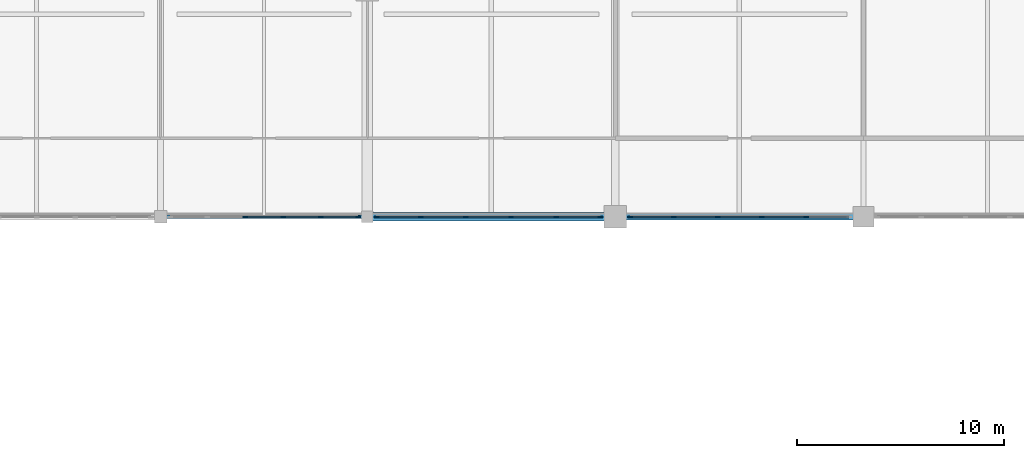
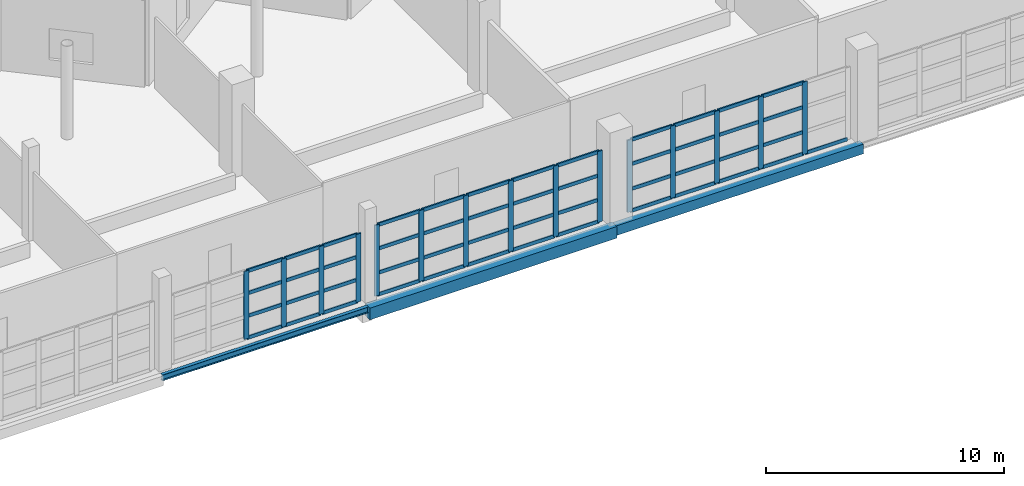
# One storey, part 25 of 53: 64 members, 3 beams, 3 elements without a shape of their own.
"""IFC4 building model written with IfcOpenShell, lengths in metres."""

import ifcopenshell
import ifcopenshell.guid

model = None  # the IFC model being written
_history = None  # IfcOwnerHistory: only IFC2X3 demands one
_inside = {}  # id of a spatial element -> (the spatial element, [elements in it])
_under = {}  # id of a project, library or spatial element -> (it, [spatial elements below it])
_declared = {}  # id of a project -> (the project, [libraries it declares])
_typed = {}  # id of a type object -> (the type object, [elements of that type])
_made_of = {}  # id of a material, layer set ... -> (it, [elements and type objects made of it])


def new_model(schema):
    """Start an empty IFC model of exactly this schema.

    Asked for "IFC4X3", IfcOpenShell would pick the latest addendum, in which some entities
    have other attributes; the version numbers below select the first issue.
    IFC2X3 requires an IfcOwnerHistory on every rooted entity: one is made here for all.
    """
    global model, _history
    if schema == "IFC4X3":
        model = ifcopenshell.file(schema_version=(4, 3, 0, 0))
    else:
        model = ifcopenshell.file(schema=schema)
    _inside.clear()
    _under.clear()
    _declared.clear()
    _typed.clear()
    _made_of.clear()
    _history = None
    if model.schema == "IFC2X3":
        org = make("IfcOrganization", Name="unknown")
        user = make(
            "IfcPersonAndOrganization",
            ThePerson=make("IfcPerson", FamilyName="unknown"),
            TheOrganization=org,
        )
        app = make(
            "IfcApplication",
            ApplicationDeveloper=org,
            Version="unknown",
            ApplicationFullName="unknown",
            ApplicationIdentifier="unknown",
        )
        _history = make(
            "IfcOwnerHistory",
            OwningUser=user,
            OwningApplication=app,
            ChangeAction="ADDED",
            CreationDate=0,
        )
    return model


def make(cls, **values):
    """One entity of the class cls with the attributes given. An attribute that is None is left unset."""
    return model.create_entity(
        cls, **{name: value for name, value in values.items() if value is not None}
    )


def rooted(cls, **values):
    """An entity with a GlobalId (a new one), such as an element, a storey or a relation."""
    return make(cls, GlobalId=ifcopenshell.guid.new(), OwnerHistory=_history, **values)


def si_unit(unit_type, name, prefix=None):
    """IfcSIUnit, for example si_unit("LENGTHUNIT", "METRE", prefix="MILLI")."""
    return make("IfcSIUnit", UnitType=unit_type, Prefix=prefix, Name=name)


def assignment(units):
    """IfcUnitAssignment: the units of a project."""
    return None if units is None else make("IfcUnitAssignment", Units=units)


def point(xyz):
    """IfcCartesianPoint."""
    return None if xyz is None else make("IfcCartesianPoint", Coordinates=xyz)


def direction(xyz):
    """IfcDirection."""
    return None if xyz is None else make("IfcDirection", DirectionRatios=xyz)


def frame(location, z_axis=None, x_axis=None):
    """IfcAxis2Placement3D, a coordinate frame: its origin and axes. An axis left out is left unset."""
    return make(
        "IfcAxis2Placement3D",
        Location=point(location),
        Axis=direction(z_axis),
        RefDirection=direction(x_axis),
    )


def frame_2d(location, x_axis=None):
    """IfcAxis2Placement2D, a coordinate frame in the plane: its origin and x axis."""
    return make(
        "IfcAxis2Placement2D", Location=point(location), RefDirection=direction(x_axis)
    )


def origin():
    """The frame at (0, 0, 0) with its axes left unset."""
    return frame((0.0, 0.0, 0.0))


def origin_2d():
    """The frame at (0, 0) in the plane with its x axis left unset."""
    return frame_2d((0.0, 0.0))


def place(relative_to, where):
    """IfcLocalPlacement: puts the frame where relative to a parent placement (None: the world)."""
    return make(
        "IfcLocalPlacement", PlacementRelTo=relative_to, RelativePlacement=where
    )


def context(
    kind, dimensions, precision=None, world=None, true_north=None, identifier=None
):
    """IfcGeometricRepresentationContext, for example the 3D "Model" context."""
    return make(
        "IfcGeometricRepresentationContext",
        ContextIdentifier=identifier,
        ContextType=kind,
        CoordinateSpaceDimension=dimensions,
        Precision=precision,
        WorldCoordinateSystem=world,
        TrueNorth=true_north,
    )


def subcontext(parent, identifier, kind, view, scale=None):
    """IfcGeometricRepresentationSubContext, for example "Body" below "Model"."""
    return make(
        "IfcGeometricRepresentationSubContext",
        ContextIdentifier=identifier,
        ContextType=kind,
        ParentContext=parent,
        TargetScale=scale,
        TargetView=view,
    )


def project(units=None, contexts=None):
    """IfcProject with its units and contexts."""
    return rooted(
        "IfcProject",
        Name="project",
        RepresentationContexts=contexts,
        UnitsInContext=assignment(units),
    )


def spatial(cls, under=None, at=None, **own):
    """A site, building, storey or space (cls), placed at a placement, below another one or the project."""
    s = rooted(cls, ObjectPlacement=at, **own)
    if under is not None:
        _under.setdefault(under.id(), (under, []))[1].append(s)
    return s


def profile(cls, at=None, kind="AREA", **sizes):
    """A parametric profile (cls). Its sizes go by their IFC names, for example OverallWidth=200.0."""
    return make(cls, ProfileType=kind, Position=at, **sizes)


def rectangle(**sizes):
    """IfcRectangleProfileDef."""
    return profile("IfcRectangleProfileDef", **sizes)


def hollow_rectangle(**sizes):
    """IfcRectangleHollowProfileDef."""
    return profile("IfcRectangleHollowProfileDef", **sizes)


def i_section(**sizes):
    """IfcIShapeProfileDef."""
    return profile("IfcIShapeProfileDef", **sizes)


def extrude(swept, where, along, depth):
    """IfcExtrudedAreaSolid: the profile swept, set in the frame where, extruded along a direction by depth."""
    return make(
        "IfcExtrudedAreaSolid",
        SweptArea=swept,
        Position=where,
        ExtrudedDirection=direction(along),
        Depth=depth,
    )


def shape(context_of_items, identifier, shape_type, items):
    """IfcShapeRepresentation: the items that make up one representation, for example the "Body"."""
    return make(
        "IfcShapeRepresentation",
        ContextOfItems=context_of_items,
        RepresentationIdentifier=identifier,
        RepresentationType=shape_type,
        Items=items,
    )


def material(Name=None, Category=None):
    """IfcMaterial."""
    return make("IfcMaterial", Name=Name, Category=Category)


def material_profile(
    of_material, cross_section, Name=None, Category=None, Priority=None
):
    """IfcMaterialProfile: a cross section and its material."""
    return make(
        "IfcMaterialProfile",
        Name=Name,
        Material=of_material,
        Profile=cross_section,
        Priority=Priority,
        Category=Category,
    )


def profile_set(profiles, Name=None, composite=None):
    """IfcMaterialProfileSet."""
    return make(
        "IfcMaterialProfileSet",
        Name=Name,
        MaterialProfiles=profiles,
        CompositeProfile=composite,
    )


def made_of(thing, what):
    """Note that an element or type object is made of a material, layer set ...; save() writes the relation."""
    if what is not None:
        _made_of.setdefault(what.id(), (what, []))[1].append(thing)
    return thing


def type_object(cls, material=None, **own):
    """A type object (cls), such as IfcWallType, which elements share."""
    return made_of(rooted(cls, **own), material)


def element(
    cls,
    number,
    at=None,
    inside=None,
    cuts=None,
    type_object=None,
    material=None,
    context=None,
    identifier="Body",
    shape_type=None,
    held_by="IfcProductDefinitionShape",
    body=None,
    shapes=None,
    **own,
):
    """One element of the class cls, such as IfcWall. Its Tag is "e" and its number.

    at: its placement. inside: the storey or other place that contains it. cuts: it is an
    opening in that element (IfcRelVoidsElement). A single representation is given by context,
    identifier, shape_type and body (its items); several are given by shapes. held_by: the class
    of the entity that holds the representations. save() writes the other relations.
    """
    e = rooted(cls, Tag="e%d" % number, ObjectPlacement=at, **own)
    if body is not None:
        shapes = [shape(context, identifier, shape_type, body)]
    if shapes is not None:
        e.Representation = make(held_by, Representations=shapes)
    if inside is not None:
        _inside.setdefault(inside.id(), (inside, []))[1].append(e)
    if cuts is not None:
        rooted(
            "IfcRelVoidsElement", RelatingBuildingElement=cuts, RelatedOpeningElement=e
        )
    if type_object is not None:
        _typed.setdefault(type_object.id(), (type_object, []))[1].append(e)
    return made_of(e, material)


def aggregate(whole, parts):
    """IfcRelAggregates: a whole, such as a stair, and the parts it consists of."""
    return rooted("IfcRelAggregates", RelatingObject=whole, RelatedObjects=parts)


def save(model, path):
    """Write the relations noted so far, then the file.

    IfcRelAggregates (storeys below a building ...), IfcRelContainedInSpatialStructure (elements
    in a storey), IfcRelDefinesByType, IfcRelAssociatesMaterial and IfcRelDeclares: one each for
    every whole, place, type object, material and project.
    """
    for whole, parts in _under.values():
        aggregate(whole, parts)
    for where, things in _inside.values():
        rooted(
            "IfcRelContainedInSpatialStructure",
            RelatedElements=things,
            RelatingStructure=where,
        )
    for kind, things in _typed.values():
        rooted("IfcRelDefinesByType", RelatedObjects=things, RelatingType=kind)
    for what, things in _made_of.values():
        rooted("IfcRelAssociatesMaterial", RelatedObjects=things, RelatingMaterial=what)
    for by, libraries in _declared.values():
        rooted("IfcRelDeclares", RelatingContext=by, RelatedDefinitions=libraries)
    model.write(path)


model = new_model("IFC4")

# Units and contexts
model_context = context("Model", 3, precision=1e-05, world=origin(), true_north=direction((0.0, 1.0)))
body_context = subcontext(model_context, "Body", "Model", "MODEL_VIEW")
ifc_project = project(units=[si_unit("LENGTHUNIT", "METRE"), si_unit("AREAUNIT", "SQUARE_METRE"), si_unit("VOLUMEUNIT", "CUBIC_METRE"), si_unit("PLANEANGLEUNIT", "RADIAN"), si_unit("MASSUNIT", "GRAM", prefix="KILO")], contexts=[model_context])

# Site, building, storey
site_placement = place(None, origin())
site = spatial("IfcSite", under=ifc_project, at=site_placement, CompositionType="ELEMENT")
building_placement = place(site_placement, origin())
building = spatial("IfcBuilding", under=site, at=building_placement, Name="Luwafu Chhajja Arena", CompositionType="ELEMENT")
storey_placement = place(building_placement, frame((0.0, 0.0, 19.5)))
storey = spatial("IfcBuildingStorey", under=building, at=storey_placement, Name="L04", CompositionType="ELEMENT", Elevation=19.5)

# Curtain wall, members
ifc_material_1 = material(Name="Anodised bronze aluminium", Category="aluminium")
curtain_wall_type = type_object("IfcCurtainWallType", Name="Media Ribbon Curtain Wall", PredefinedType="USERDEFINED", material=ifc_material_1)
curtain_wall_1_placement = place(storey_placement, origin())
curtain_wall_1 = element("IfcCurtainWall", 1, at=curtain_wall_1_placement, inside=storey, type_object=curtain_wall_type, Name="L04 Bowl Viewing Curtain Wall CWR-L04-11", ObjectType="CURTAIN WALL", PredefinedType="USERDEFINED")
ifc_material_profile_1 = material_profile(ifc_material_1, rectangle(XDim=0.070068359375, YDim=0.239990234375, at=origin_2d()), Name="CWM 70x240")
ifc_profile_set_1 = profile_set([ifc_material_profile_1], Name="Anodised bronze aluminium")
member_type_1 = type_object("IfcMemberType", Name="Bronze Curtain Wall Mullion 70x240", PredefinedType="MULLION", material=ifc_profile_set_1)
member_1_placement = place(storey_placement, frame((98.097900390625, 77.0, 0.0), z_axis=(0.0, 0.0, 1.0), x_axis=(0.0, 1.0, 0.0)))
member_1 = element("IfcMember", 2, at=member_1_placement, type_object=member_type_1, Name="CW-03 mullion 3", PredefinedType="MULLION", context=body_context, shape_type="SweptSolid", body=[
    extrude(rectangle(XDim=0.070068359375, YDim=0.239990234375, at=origin_2d()), origin(), (0.0, 0.0, 1.0), 3.489990234375),
])
member_2_placement = place(storey_placement, frame((99.927001953125, 77.0, 0.0), z_axis=(0.0, 0.0, 1.0), x_axis=(0.0, 1.0, 0.0)))
member_2 = element("IfcMember", 3, at=member_2_placement, type_object=member_type_1, Name="CW-03 mullion 4", PredefinedType="MULLION", context=body_context, shape_type="SweptSolid", body=[
    extrude(rectangle(XDim=0.070068359375, YDim=0.239990234375, at=origin_2d()), origin(), (0.0, 0.0, 1.0), 3.489990234375),
])
member_3_placement = place(storey_placement, frame((101.756103515625, 77.0, 0.0), z_axis=(0.0, 0.0, 1.0), x_axis=(0.0, 1.0, 0.0)))
member_3 = element("IfcMember", 4, at=member_3_placement, type_object=member_type_1, Name="CW-03 mullion 5", PredefinedType="MULLION", context=body_context, shape_type="SweptSolid", body=[
    extrude(rectangle(XDim=0.070068359375, YDim=0.239990234375, at=origin_2d()), origin(), (0.0, 0.0, 1.0), 3.489990234375),
])
member_4_placement = place(storey_placement, frame((103.550048828125, 77.0, 0.0), z_axis=(0.0, 0.0, 1.0), x_axis=(0.0, 1.0, 0.0)))
member_4 = element("IfcMember", 5, at=member_4_placement, type_object=member_type_1, Name="CW-03 mullion 6", PredefinedType="MULLION", context=body_context, shape_type="SweptSolid", body=[
    extrude(rectangle(XDim=0.070068359375, YDim=0.239990234375, at=origin_2d()), origin(), (0.0, 0.0, 1.0), 3.489990234375),
])

curtain_wall_2_placement = place(storey_placement, origin())
curtain_wall_2 = element("IfcCurtainWall", 6, at=curtain_wall_2_placement, inside=storey, type_object=curtain_wall_type, Name="L04 Bowl Viewing Curtain Wall CWR-L04-12", ObjectType="CURTAIN WALL", PredefinedType="USERDEFINED")
member_5_placement = place(storey_placement, frame((104.449951171875, 77.0, 0.0), z_axis=(0.0, 0.0, 1.0), x_axis=(0.0, 1.0, 0.0)))
member_5 = element("IfcMember", 7, at=member_5_placement, type_object=member_type_1, Name="CW-03 mullion 1", PredefinedType="MULLION", context=body_context, shape_type="SweptSolid", body=[
    extrude(rectangle(XDim=0.070068359375, YDim=0.239990234375, at=origin_2d()), origin(), (0.0, 0.0, 1.0), 3.639892578125),
])
member_6_placement = place(storey_placement, frame((106.593994140625, 77.0, 0.0), z_axis=(0.0, 0.0, 1.0), x_axis=(0.0, 1.0, 0.0)))
member_6 = element("IfcMember", 8, at=member_6_placement, type_object=member_type_1, Name="CW-03 mullion 2", PredefinedType="MULLION", context=body_context, shape_type="SweptSolid", body=[
    extrude(rectangle(XDim=0.070068359375, YDim=0.239990234375, at=origin_2d()), origin(), (0.0, 0.0, 1.0), 3.639892578125),
])
member_7_placement = place(storey_placement, frame((108.77294921875, 77.0, 0.0), z_axis=(0.0, 0.0, 1.0), x_axis=(0.0, 1.0, 0.0)))
member_7 = element("IfcMember", 9, at=member_7_placement, type_object=member_type_1, Name="CW-03 mullion 3", PredefinedType="MULLION", context=body_context, shape_type="SweptSolid", body=[
    extrude(rectangle(XDim=0.070068359375, YDim=0.239990234375, at=origin_2d()), origin(), (0.0, 0.0, 1.0), 3.639892578125),
])
member_8_placement = place(storey_placement, frame((110.951904296875, 77.0, 0.0), z_axis=(0.0, 0.0, 1.0), x_axis=(0.0, 1.0, 0.0)))
member_8 = element("IfcMember", 10, at=member_8_placement, type_object=member_type_1, Name="CW-03 mullion 4", PredefinedType="MULLION", context=body_context, shape_type="SweptSolid", body=[
    extrude(rectangle(XDim=0.070068359375, YDim=0.239990234375, at=origin_2d()), origin(), (0.0, 0.0, 1.0), 3.639892578125),
])
member_9_placement = place(storey_placement, frame((113.131103515625, 77.0, 0.0), z_axis=(0.0, 0.0, 1.0), x_axis=(0.0, 1.0, 0.0)))
member_9 = element("IfcMember", 11, at=member_9_placement, type_object=member_type_1, Name="CW-03 mullion 5", PredefinedType="MULLION", context=body_context, shape_type="SweptSolid", body=[
    extrude(rectangle(XDim=0.070068359375, YDim=0.239990234375, at=origin_2d()), origin(), (0.0, 0.0, 1.0), 3.639892578125),
])
member_10_placement = place(storey_placement, frame((115.27490234375, 77.0, 0.0), z_axis=(0.0, 0.0, 1.0), x_axis=(0.0, 1.0, 0.0)))
member_10 = element("IfcMember", 12, at=member_10_placement, type_object=member_type_1, Name="CW-03 mullion 6", PredefinedType="MULLION", context=body_context, shape_type="SweptSolid", body=[
    extrude(rectangle(XDim=0.070068359375, YDim=0.239990234375, at=origin_2d()), origin(), (0.0, 0.0, 1.0), 3.639892578125),
])

curtain_wall_3_placement = place(storey_placement, origin())
curtain_wall_3 = element("IfcCurtainWall", 13, at=curtain_wall_3_placement, inside=storey, type_object=curtain_wall_type, Name="L04 Bowl Viewing Curtain Wall CWR-L04-13", ObjectType="CURTAIN WALL", PredefinedType="USERDEFINED")
member_11_placement = place(storey_placement, frame((116.72509765625, 77.0, 0.0), z_axis=(0.0, 0.0, 1.0), x_axis=(0.0, 1.0, 0.0)))
member_11 = element("IfcMember", 14, at=member_11_placement, type_object=member_type_1, Name="CW-03 mullion 1", PredefinedType="MULLION", context=body_context, shape_type="SweptSolid", body=[
    extrude(rectangle(XDim=0.070068359375, YDim=0.239990234375, at=origin_2d()), origin(), (0.0, 0.0, 1.0), 3.70654296875),
])
member_12_placement = place(storey_placement, frame((118.823974609375, 77.0, 0.0), z_axis=(0.0, 0.0, 1.0), x_axis=(0.0, 1.0, 0.0)))
member_12 = element("IfcMember", 15, at=member_12_placement, type_object=member_type_1, Name="CW-03 mullion 2", PredefinedType="MULLION", context=body_context, shape_type="SweptSolid", body=[
    extrude(rectangle(XDim=0.070068359375, YDim=0.239990234375, at=origin_2d()), origin(), (0.0, 0.0, 1.0), 3.70654296875),
])
member_13_placement = place(storey_placement, frame((120.9580078125, 77.0, 0.0), z_axis=(0.0, 0.0, 1.0), x_axis=(0.0, 1.0, 0.0)))
member_13 = element("IfcMember", 16, at=member_13_placement, type_object=member_type_1, Name="CW-03 mullion 3", PredefinedType="MULLION", context=body_context, shape_type="SweptSolid", body=[
    extrude(rectangle(XDim=0.070068359375, YDim=0.239990234375, at=origin_2d()), origin(), (0.0, 0.0, 1.0), 3.70654296875),
])
member_14_placement = place(storey_placement, frame((123.092041015625, 77.0, 0.0), z_axis=(0.0, 0.0, 1.0), x_axis=(0.0, 1.0, 0.0)))
member_14 = element("IfcMember", 17, at=member_14_placement, type_object=member_type_1, Name="CW-03 mullion 4", PredefinedType="MULLION", context=body_context, shape_type="SweptSolid", body=[
    extrude(rectangle(XDim=0.070068359375, YDim=0.239990234375, at=origin_2d()), origin(), (0.0, 0.0, 1.0), 3.70654296875),
])
member_15_placement = place(storey_placement, frame((125.22607421875, 77.0, 0.0), z_axis=(0.0, 0.0, 1.0), x_axis=(0.0, 1.0, 0.0)))
member_15 = element("IfcMember", 18, at=member_15_placement, type_object=member_type_1, Name="CW-03 mullion 5", PredefinedType="MULLION", context=body_context, shape_type="SweptSolid", body=[
    extrude(rectangle(XDim=0.070068359375, YDim=0.239990234375, at=origin_2d()), origin(), (0.0, 0.0, 1.0), 3.70654296875),
])

# Member
ifc_material_profile_2 = material_profile(ifc_material_1, rectangle(XDim=0.070068359375, YDim=0.179931640625, at=origin_2d()), Name="CWT 70x180")
ifc_profile_set_2 = profile_set([ifc_material_profile_2], Name="Anodised bronze aluminium")
member_type_2 = type_object("IfcMemberType", Name="Bronze Curtain Wall Transom 70x180", PredefinedType="USERDEFINED", material=ifc_profile_set_2)
member_16_placement = place(storey_placement, frame((98.133056640625, 77.0, 0.034912109375), z_axis=(1.0, 0.0, 0.0), x_axis=(0.0, 1.0, 0.0)))
member_16 = element("IfcMember", 19, at=member_16_placement, type_object=member_type_2, Name="CW-03 transom 3.1", ObjectType="TRANSOM", PredefinedType="USERDEFINED", context=body_context, shape_type="SweptSolid", body=[
    extrude(rectangle(XDim=0.070068359375, YDim=0.179931640625, at=origin_2d()), origin(), (0.0, 0.0, 1.0), 1.759033203125),
])

member_17_placement = place(storey_placement, frame((98.133056640625, 77.0, 1.14990234375), z_axis=(1.0, 0.0, 0.0), x_axis=(0.0, 1.0, 0.0)))
member_17 = element("IfcMember", 20, at=member_17_placement, type_object=member_type_2, Name="CW-03 transom 3.2", ObjectType="TRANSOM", PredefinedType="USERDEFINED", context=body_context, shape_type="SweptSolid", body=[
    extrude(rectangle(XDim=0.070068359375, YDim=0.179931640625, at=origin_2d()), origin(), (0.0, 0.0, 1.0), 1.759033203125),
])

member_18_placement = place(storey_placement, frame((98.133056640625, 77.0, 2.320068359375), z_axis=(1.0, 0.0, 0.0), x_axis=(0.0, 1.0, 0.0)))
member_18 = element("IfcMember", 21, at=member_18_placement, type_object=member_type_2, Name="CW-03 transom 3.3", ObjectType="TRANSOM", PredefinedType="USERDEFINED", context=body_context, shape_type="SweptSolid", body=[
    extrude(rectangle(XDim=0.070068359375, YDim=0.179931640625, at=origin_2d()), origin(), (0.0, 0.0, 1.0), 1.759033203125),
])

member_19_placement = place(storey_placement, frame((98.133056640625, 77.0, 3.455078125), z_axis=(1.0, 0.0, 0.0), x_axis=(0.0, 1.0, 0.0)))
member_19 = element("IfcMember", 22, at=member_19_placement, type_object=member_type_2, Name="CW-03 transom 3.4", ObjectType="TRANSOM", PredefinedType="USERDEFINED", context=body_context, shape_type="SweptSolid", body=[
    extrude(rectangle(XDim=0.070068359375, YDim=0.179931640625, at=origin_2d()), origin(), (0.0, 0.0, 1.0), 1.759033203125),
])

member_20_placement = place(storey_placement, frame((99.9619140625, 77.0, 0.034912109375), z_axis=(1.0, 0.0, 0.0), x_axis=(0.0, 1.0, 0.0)))
member_20 = element("IfcMember", 23, at=member_20_placement, type_object=member_type_2, Name="CW-03 transom 4.1", ObjectType="TRANSOM", PredefinedType="USERDEFINED", context=body_context, shape_type="SweptSolid", body=[
    extrude(rectangle(XDim=0.070068359375, YDim=0.179931640625, at=origin_2d()), origin(), (0.0, 0.0, 1.0), 1.759033203125),
])

member_21_placement = place(storey_placement, frame((99.9619140625, 77.0, 1.14990234375), z_axis=(1.0, 0.0, 0.0), x_axis=(0.0, 1.0, 0.0)))
member_21 = element("IfcMember", 24, at=member_21_placement, type_object=member_type_2, Name="CW-03 transom 4.2", ObjectType="TRANSOM", PredefinedType="USERDEFINED", context=body_context, shape_type="SweptSolid", body=[
    extrude(rectangle(XDim=0.070068359375, YDim=0.179931640625, at=origin_2d()), origin(), (0.0, 0.0, 1.0), 1.759033203125),
])

member_22_placement = place(storey_placement, frame((99.9619140625, 77.0, 2.320068359375), z_axis=(1.0, 0.0, 0.0), x_axis=(0.0, 1.0, 0.0)))
member_22 = element("IfcMember", 25, at=member_22_placement, type_object=member_type_2, Name="CW-03 transom 4.3", ObjectType="TRANSOM", PredefinedType="USERDEFINED", context=body_context, shape_type="SweptSolid", body=[
    extrude(rectangle(XDim=0.070068359375, YDim=0.179931640625, at=origin_2d()), origin(), (0.0, 0.0, 1.0), 1.759033203125),
])

member_23_placement = place(storey_placement, frame((99.9619140625, 77.0, 3.455078125), z_axis=(1.0, 0.0, 0.0), x_axis=(0.0, 1.0, 0.0)))
member_23 = element("IfcMember", 26, at=member_23_placement, type_object=member_type_2, Name="CW-03 transom 4.4", ObjectType="TRANSOM", PredefinedType="USERDEFINED", context=body_context, shape_type="SweptSolid", body=[
    extrude(rectangle(XDim=0.070068359375, YDim=0.179931640625, at=origin_2d()), origin(), (0.0, 0.0, 1.0), 1.759033203125),
])

member_24_placement = place(storey_placement, frame((101.791015625, 77.0, 0.034912109375), z_axis=(1.0, 0.0, 0.0), x_axis=(0.0, 1.0, 0.0)))
member_24 = element("IfcMember", 27, at=member_24_placement, type_object=member_type_2, Name="CW-03 transom 5.1", ObjectType="TRANSOM", PredefinedType="USERDEFINED", context=body_context, shape_type="SweptSolid", body=[
    extrude(rectangle(XDim=0.070068359375, YDim=0.179931640625, at=origin_2d()), origin(), (0.0, 0.0, 1.0), 1.723876953125),
])

member_25_placement = place(storey_placement, frame((101.791015625, 77.0, 1.14990234375), z_axis=(1.0, 0.0, 0.0), x_axis=(0.0, 1.0, 0.0)))
member_25 = element("IfcMember", 28, at=member_25_placement, type_object=member_type_2, Name="CW-03 transom 5.2", ObjectType="TRANSOM", PredefinedType="USERDEFINED", context=body_context, shape_type="SweptSolid", body=[
    extrude(rectangle(XDim=0.070068359375, YDim=0.179931640625, at=origin_2d()), origin(), (0.0, 0.0, 1.0), 1.723876953125),
])

member_26_placement = place(storey_placement, frame((101.791015625, 77.0, 2.320068359375), z_axis=(1.0, 0.0, 0.0), x_axis=(0.0, 1.0, 0.0)))
member_26 = element("IfcMember", 29, at=member_26_placement, type_object=member_type_2, Name="CW-03 transom 5.3", ObjectType="TRANSOM", PredefinedType="USERDEFINED", context=body_context, shape_type="SweptSolid", body=[
    extrude(rectangle(XDim=0.070068359375, YDim=0.179931640625, at=origin_2d()), origin(), (0.0, 0.0, 1.0), 1.723876953125),
])

member_27_placement = place(storey_placement, frame((101.791015625, 77.0, 3.455078125), z_axis=(1.0, 0.0, 0.0), x_axis=(0.0, 1.0, 0.0)))
member_27 = element("IfcMember", 30, at=member_27_placement, type_object=member_type_2, Name="CW-03 transom 5.4", ObjectType="TRANSOM", PredefinedType="USERDEFINED", context=body_context, shape_type="SweptSolid", body=[
    extrude(rectangle(XDim=0.070068359375, YDim=0.179931640625, at=origin_2d()), origin(), (0.0, 0.0, 1.0), 1.723876953125),
])

aggregate(curtain_wall_1, [member_1, member_2, member_3, member_4, member_16, member_17, member_18, member_19, member_20, member_21, member_22, member_23, member_24, member_25, member_26, member_27])

member_28_placement = place(storey_placement, frame((104.485107421875, 77.0, 0.034912109375), z_axis=(1.0, 0.0, 0.0), x_axis=(0.0, 1.0, 0.0)))
member_28 = element("IfcMember", 31, at=member_28_placement, type_object=member_type_2, Name="CW-03 transom 1.1", ObjectType="TRANSOM", PredefinedType="USERDEFINED", context=body_context, shape_type="SweptSolid", body=[
    extrude(rectangle(XDim=0.070068359375, YDim=0.179931640625, at=origin_2d()), origin(), (0.0, 0.0, 1.0), 2.073974609375),
])

member_29_placement = place(storey_placement, frame((104.485107421875, 77.0, 1.14990234375), z_axis=(1.0, 0.0, 0.0), x_axis=(0.0, 1.0, 0.0)))
member_29 = element("IfcMember", 32, at=member_29_placement, type_object=member_type_2, Name="CW-03 transom 1.2", ObjectType="TRANSOM", PredefinedType="USERDEFINED", context=body_context, shape_type="SweptSolid", body=[
    extrude(rectangle(XDim=0.070068359375, YDim=0.179931640625, at=origin_2d()), origin(), (0.0, 0.0, 1.0), 2.073974609375),
])

member_30_placement = place(storey_placement, frame((104.485107421875, 77.0, 2.39501953125), z_axis=(1.0, 0.0, 0.0), x_axis=(0.0, 1.0, 0.0)))
member_30 = element("IfcMember", 33, at=member_30_placement, type_object=member_type_2, Name="CW-03 transom 1.3", ObjectType="TRANSOM", PredefinedType="USERDEFINED", context=body_context, shape_type="SweptSolid", body=[
    extrude(rectangle(XDim=0.070068359375, YDim=0.179931640625, at=origin_2d()), origin(), (0.0, 0.0, 1.0), 2.073974609375),
])

member_31_placement = place(storey_placement, frame((104.485107421875, 77.0, 3.60498046875), z_axis=(1.0, 0.0, 0.0), x_axis=(0.0, 1.0, 0.0)))
member_31 = element("IfcMember", 34, at=member_31_placement, type_object=member_type_2, Name="CW-03 transom 1.4", ObjectType="TRANSOM", PredefinedType="USERDEFINED", context=body_context, shape_type="SweptSolid", body=[
    extrude(rectangle(XDim=0.070068359375, YDim=0.179931640625, at=origin_2d()), origin(), (0.0, 0.0, 1.0), 2.073974609375),
])

member_32_placement = place(storey_placement, frame((106.62890625, 77.0, 0.034912109375), z_axis=(1.0, 0.0, 0.0), x_axis=(0.0, 1.0, 0.0)))
member_32 = element("IfcMember", 35, at=member_32_placement, type_object=member_type_2, Name="CW-03 transom 2.1", ObjectType="TRANSOM", PredefinedType="USERDEFINED", context=body_context, shape_type="SweptSolid", body=[
    extrude(rectangle(XDim=0.070068359375, YDim=0.179931640625, at=origin_2d()), origin(), (0.0, 0.0, 1.0), 2.109130859375),
])

member_33_placement = place(storey_placement, frame((106.62890625, 77.0, 1.14990234375), z_axis=(1.0, 0.0, 0.0), x_axis=(0.0, 1.0, 0.0)))
member_33 = element("IfcMember", 36, at=member_33_placement, type_object=member_type_2, Name="CW-03 transom 2.2", ObjectType="TRANSOM", PredefinedType="USERDEFINED", context=body_context, shape_type="SweptSolid", body=[
    extrude(rectangle(XDim=0.070068359375, YDim=0.179931640625, at=origin_2d()), origin(), (0.0, 0.0, 1.0), 2.109130859375),
])

member_34_placement = place(storey_placement, frame((106.62890625, 77.0, 2.39501953125), z_axis=(1.0, 0.0, 0.0), x_axis=(0.0, 1.0, 0.0)))
member_34 = element("IfcMember", 37, at=member_34_placement, type_object=member_type_2, Name="CW-03 transom 2.3", ObjectType="TRANSOM", PredefinedType="USERDEFINED", context=body_context, shape_type="SweptSolid", body=[
    extrude(rectangle(XDim=0.070068359375, YDim=0.179931640625, at=origin_2d()), origin(), (0.0, 0.0, 1.0), 2.109130859375),
])

member_35_placement = place(storey_placement, frame((106.62890625, 77.0, 3.60498046875), z_axis=(1.0, 0.0, 0.0), x_axis=(0.0, 1.0, 0.0)))
member_35 = element("IfcMember", 38, at=member_35_placement, type_object=member_type_2, Name="CW-03 transom 2.4", ObjectType="TRANSOM", PredefinedType="USERDEFINED", context=body_context, shape_type="SweptSolid", body=[
    extrude(rectangle(XDim=0.070068359375, YDim=0.179931640625, at=origin_2d()), origin(), (0.0, 0.0, 1.0), 2.109130859375),
])

member_36_placement = place(storey_placement, frame((108.80810546875, 77.0, 0.034912109375), z_axis=(1.0, 0.0, 0.0), x_axis=(0.0, 1.0, 0.0)))
member_36 = element("IfcMember", 39, at=member_36_placement, type_object=member_type_2, Name="CW-03 transom 3.1", ObjectType="TRANSOM", PredefinedType="USERDEFINED", context=body_context, shape_type="SweptSolid", body=[
    extrude(rectangle(XDim=0.070068359375, YDim=0.179931640625, at=origin_2d()), origin(), (0.0, 0.0, 1.0), 2.10888671875),
])

member_37_placement = place(storey_placement, frame((108.80810546875, 77.0, 1.14990234375), z_axis=(1.0, 0.0, 0.0), x_axis=(0.0, 1.0, 0.0)))
member_37 = element("IfcMember", 40, at=member_37_placement, type_object=member_type_2, Name="CW-03 transom 3.2", ObjectType="TRANSOM", PredefinedType="USERDEFINED", context=body_context, shape_type="SweptSolid", body=[
    extrude(rectangle(XDim=0.070068359375, YDim=0.179931640625, at=origin_2d()), origin(), (0.0, 0.0, 1.0), 2.10888671875),
])

member_38_placement = place(storey_placement, frame((108.80810546875, 77.0, 2.39501953125), z_axis=(1.0, 0.0, 0.0), x_axis=(0.0, 1.0, 0.0)))
member_38 = element("IfcMember", 41, at=member_38_placement, type_object=member_type_2, Name="CW-03 transom 3.3", ObjectType="TRANSOM", PredefinedType="USERDEFINED", context=body_context, shape_type="SweptSolid", body=[
    extrude(rectangle(XDim=0.070068359375, YDim=0.179931640625, at=origin_2d()), origin(), (0.0, 0.0, 1.0), 2.10888671875),
])

member_39_placement = place(storey_placement, frame((108.80810546875, 77.0, 3.60498046875), z_axis=(1.0, 0.0, 0.0), x_axis=(0.0, 1.0, 0.0)))
member_39 = element("IfcMember", 42, at=member_39_placement, type_object=member_type_2, Name="CW-03 transom 3.4", ObjectType="TRANSOM", PredefinedType="USERDEFINED", context=body_context, shape_type="SweptSolid", body=[
    extrude(rectangle(XDim=0.070068359375, YDim=0.179931640625, at=origin_2d()), origin(), (0.0, 0.0, 1.0), 2.10888671875),
])

member_40_placement = place(storey_placement, frame((110.987060546875, 77.0, 0.034912109375), z_axis=(1.0, 0.0, 0.0), x_axis=(0.0, 1.0, 0.0)))
member_40 = element("IfcMember", 43, at=member_40_placement, type_object=member_type_2, Name="CW-03 transom 4.1", ObjectType="TRANSOM", PredefinedType="USERDEFINED", context=body_context, shape_type="SweptSolid", body=[
    extrude(rectangle(XDim=0.070068359375, YDim=0.179931640625, at=origin_2d()), origin(), (0.0, 0.0, 1.0), 2.10888671875),
])

member_41_placement = place(storey_placement, frame((110.987060546875, 77.0, 1.14990234375), z_axis=(1.0, 0.0, 0.0), x_axis=(0.0, 1.0, 0.0)))
member_41 = element("IfcMember", 44, at=member_41_placement, type_object=member_type_2, Name="CW-03 transom 4.2", ObjectType="TRANSOM", PredefinedType="USERDEFINED", context=body_context, shape_type="SweptSolid", body=[
    extrude(rectangle(XDim=0.070068359375, YDim=0.179931640625, at=origin_2d()), origin(), (0.0, 0.0, 1.0), 2.10888671875),
])

member_42_placement = place(storey_placement, frame((110.987060546875, 77.0, 2.39501953125), z_axis=(1.0, 0.0, 0.0), x_axis=(0.0, 1.0, 0.0)))
member_42 = element("IfcMember", 45, at=member_42_placement, type_object=member_type_2, Name="CW-03 transom 4.3", ObjectType="TRANSOM", PredefinedType="USERDEFINED", context=body_context, shape_type="SweptSolid", body=[
    extrude(rectangle(XDim=0.070068359375, YDim=0.179931640625, at=origin_2d()), origin(), (0.0, 0.0, 1.0), 2.10888671875),
])

member_43_placement = place(storey_placement, frame((110.987060546875, 77.0, 3.60498046875), z_axis=(1.0, 0.0, 0.0), x_axis=(0.0, 1.0, 0.0)))
member_43 = element("IfcMember", 46, at=member_43_placement, type_object=member_type_2, Name="CW-03 transom 4.4", ObjectType="TRANSOM", PredefinedType="USERDEFINED", context=body_context, shape_type="SweptSolid", body=[
    extrude(rectangle(XDim=0.070068359375, YDim=0.179931640625, at=origin_2d()), origin(), (0.0, 0.0, 1.0), 2.10888671875),
])

member_44_placement = place(storey_placement, frame((113.166015625, 77.0, 0.034912109375), z_axis=(1.0, 0.0, 0.0), x_axis=(0.0, 1.0, 0.0)))
member_44 = element("IfcMember", 47, at=member_44_placement, type_object=member_type_2, Name="CW-03 transom 5.1", ObjectType="TRANSOM", PredefinedType="USERDEFINED", context=body_context, shape_type="SweptSolid", body=[
    extrude(rectangle(XDim=0.070068359375, YDim=0.179931640625, at=origin_2d()), origin(), (0.0, 0.0, 1.0), 2.073974609375),
])

member_45_placement = place(storey_placement, frame((113.166015625, 77.0, 1.14990234375), z_axis=(1.0, 0.0, 0.0), x_axis=(0.0, 1.0, 0.0)))
member_45 = element("IfcMember", 48, at=member_45_placement, type_object=member_type_2, Name="CW-03 transom 5.2", ObjectType="TRANSOM", PredefinedType="USERDEFINED", context=body_context, shape_type="SweptSolid", body=[
    extrude(rectangle(XDim=0.070068359375, YDim=0.179931640625, at=origin_2d()), origin(), (0.0, 0.0, 1.0), 2.073974609375),
])

member_46_placement = place(storey_placement, frame((113.166015625, 77.0, 2.39501953125), z_axis=(1.0, 0.0, 0.0), x_axis=(0.0, 1.0, 0.0)))
member_46 = element("IfcMember", 49, at=member_46_placement, type_object=member_type_2, Name="CW-03 transom 5.3", ObjectType="TRANSOM", PredefinedType="USERDEFINED", context=body_context, shape_type="SweptSolid", body=[
    extrude(rectangle(XDim=0.070068359375, YDim=0.179931640625, at=origin_2d()), origin(), (0.0, 0.0, 1.0), 2.073974609375),
])

member_47_placement = place(storey_placement, frame((113.166015625, 77.0, 3.60498046875), z_axis=(1.0, 0.0, 0.0), x_axis=(0.0, 1.0, 0.0)))
member_47 = element("IfcMember", 50, at=member_47_placement, type_object=member_type_2, Name="CW-03 transom 5.4", ObjectType="TRANSOM", PredefinedType="USERDEFINED", context=body_context, shape_type="SweptSolid", body=[
    extrude(rectangle(XDim=0.070068359375, YDim=0.179931640625, at=origin_2d()), origin(), (0.0, 0.0, 1.0), 2.073974609375),
])

aggregate(curtain_wall_2, [member_5, member_6, member_7, member_8, member_9, member_10, member_28, member_29, member_30, member_31, member_32, member_33, member_34, member_35, member_36, member_37, member_38, member_39, member_40, member_41, member_42, member_43, member_44, member_45, member_46, member_47])

member_48_placement = place(storey_placement, frame((116.760009765625, 77.0, 0.034912109375), z_axis=(1.0, 0.0, 0.0), x_axis=(0.0, 1.0, 0.0)))
member_48 = element("IfcMember", 51, at=member_48_placement, type_object=member_type_2, Name="CW-03 transom 1.1", ObjectType="TRANSOM", PredefinedType="USERDEFINED", context=body_context, shape_type="SweptSolid", body=[
    extrude(rectangle(XDim=0.070068359375, YDim=0.179931640625, at=origin_2d()), origin(), (0.0, 0.0, 1.0), 2.029052734375),
])

member_49_placement = place(storey_placement, frame((116.760009765625, 77.0, 1.14990234375), z_axis=(1.0, 0.0, 0.0), x_axis=(0.0, 1.0, 0.0)))
member_49 = element("IfcMember", 52, at=member_49_placement, type_object=member_type_2, Name="CW-03 transom 1.2", ObjectType="TRANSOM", PredefinedType="USERDEFINED", context=body_context, shape_type="SweptSolid", body=[
    extrude(rectangle(XDim=0.070068359375, YDim=0.179931640625, at=origin_2d()), origin(), (0.0, 0.0, 1.0), 2.029052734375),
])

member_50_placement = place(storey_placement, frame((116.760009765625, 77.0, 2.42822265625), z_axis=(1.0, 0.0, 0.0), x_axis=(0.0, 1.0, 0.0)))
member_50 = element("IfcMember", 53, at=member_50_placement, type_object=member_type_2, Name="CW-03 transom 1.3", ObjectType="TRANSOM", PredefinedType="USERDEFINED", context=body_context, shape_type="SweptSolid", body=[
    extrude(rectangle(XDim=0.070068359375, YDim=0.179931640625, at=origin_2d()), origin(), (0.0, 0.0, 1.0), 2.029052734375),
])

member_51_placement = place(storey_placement, frame((116.760009765625, 77.0, 3.67138671875), z_axis=(1.0, 0.0, 0.0), x_axis=(0.0, 1.0, 0.0)))
member_51 = element("IfcMember", 54, at=member_51_placement, type_object=member_type_2, Name="CW-03 transom 1.4", ObjectType="TRANSOM", PredefinedType="USERDEFINED", context=body_context, shape_type="SweptSolid", body=[
    extrude(rectangle(XDim=0.070068359375, YDim=0.179931640625, at=origin_2d()), origin(), (0.0, 0.0, 1.0), 2.029052734375),
])

member_52_placement = place(storey_placement, frame((118.85888671875, 77.0, 0.034912109375), z_axis=(1.0, 0.0, 0.0), x_axis=(0.0, 1.0, 0.0)))
member_52 = element("IfcMember", 55, at=member_52_placement, type_object=member_type_2, Name="CW-03 transom 2.1", ObjectType="TRANSOM", PredefinedType="USERDEFINED", context=body_context, shape_type="SweptSolid", body=[
    extrude(rectangle(XDim=0.070068359375, YDim=0.179931640625, at=origin_2d()), origin(), (0.0, 0.0, 1.0), 2.064208984375),
])

member_53_placement = place(storey_placement, frame((118.85888671875, 77.0, 1.14990234375), z_axis=(1.0, 0.0, 0.0), x_axis=(0.0, 1.0, 0.0)))
member_53 = element("IfcMember", 56, at=member_53_placement, type_object=member_type_2, Name="CW-03 transom 2.2", ObjectType="TRANSOM", PredefinedType="USERDEFINED", context=body_context, shape_type="SweptSolid", body=[
    extrude(rectangle(XDim=0.070068359375, YDim=0.179931640625, at=origin_2d()), origin(), (0.0, 0.0, 1.0), 2.064208984375),
])

member_54_placement = place(storey_placement, frame((118.85888671875, 77.0, 2.42822265625), z_axis=(1.0, 0.0, 0.0), x_axis=(0.0, 1.0, 0.0)))
member_54 = element("IfcMember", 57, at=member_54_placement, type_object=member_type_2, Name="CW-03 transom 2.3", ObjectType="TRANSOM", PredefinedType="USERDEFINED", context=body_context, shape_type="SweptSolid", body=[
    extrude(rectangle(XDim=0.070068359375, YDim=0.179931640625, at=origin_2d()), origin(), (0.0, 0.0, 1.0), 2.064208984375),
])

member_55_placement = place(storey_placement, frame((118.85888671875, 77.0, 3.67138671875), z_axis=(1.0, 0.0, 0.0), x_axis=(0.0, 1.0, 0.0)))
member_55 = element("IfcMember", 58, at=member_55_placement, type_object=member_type_2, Name="CW-03 transom 2.4", ObjectType="TRANSOM", PredefinedType="USERDEFINED", context=body_context, shape_type="SweptSolid", body=[
    extrude(rectangle(XDim=0.070068359375, YDim=0.179931640625, at=origin_2d()), origin(), (0.0, 0.0, 1.0), 2.064208984375),
])

member_56_placement = place(storey_placement, frame((120.992919921875, 77.0, 0.034912109375), z_axis=(1.0, 0.0, 0.0), x_axis=(0.0, 1.0, 0.0)))
member_56 = element("IfcMember", 59, at=member_56_placement, type_object=member_type_2, Name="CW-03 transom 3.1", ObjectType="TRANSOM", PredefinedType="USERDEFINED", context=body_context, shape_type="SweptSolid", body=[
    extrude(rectangle(XDim=0.070068359375, YDim=0.179931640625, at=origin_2d()), origin(), (0.0, 0.0, 1.0), 2.06396484375),
])

member_57_placement = place(storey_placement, frame((120.992919921875, 77.0, 1.14990234375), z_axis=(1.0, 0.0, 0.0), x_axis=(0.0, 1.0, 0.0)))
member_57 = element("IfcMember", 60, at=member_57_placement, type_object=member_type_2, Name="CW-03 transom 3.2", ObjectType="TRANSOM", PredefinedType="USERDEFINED", context=body_context, shape_type="SweptSolid", body=[
    extrude(rectangle(XDim=0.070068359375, YDim=0.179931640625, at=origin_2d()), origin(), (0.0, 0.0, 1.0), 2.06396484375),
])

member_58_placement = place(storey_placement, frame((120.992919921875, 77.0, 2.42822265625), z_axis=(1.0, 0.0, 0.0), x_axis=(0.0, 1.0, 0.0)))
member_58 = element("IfcMember", 61, at=member_58_placement, type_object=member_type_2, Name="CW-03 transom 3.3", ObjectType="TRANSOM", PredefinedType="USERDEFINED", context=body_context, shape_type="SweptSolid", body=[
    extrude(rectangle(XDim=0.070068359375, YDim=0.179931640625, at=origin_2d()), origin(), (0.0, 0.0, 1.0), 2.06396484375),
])

member_59_placement = place(storey_placement, frame((120.992919921875, 77.0, 3.67138671875), z_axis=(1.0, 0.0, 0.0), x_axis=(0.0, 1.0, 0.0)))
member_59 = element("IfcMember", 62, at=member_59_placement, type_object=member_type_2, Name="CW-03 transom 3.4", ObjectType="TRANSOM", PredefinedType="USERDEFINED", context=body_context, shape_type="SweptSolid", body=[
    extrude(rectangle(XDim=0.070068359375, YDim=0.179931640625, at=origin_2d()), origin(), (0.0, 0.0, 1.0), 2.06396484375),
])

member_60_placement = place(storey_placement, frame((123.126953125, 77.0, 0.034912109375), z_axis=(1.0, 0.0, 0.0), x_axis=(0.0, 1.0, 0.0)))
member_60 = element("IfcMember", 63, at=member_60_placement, type_object=member_type_2, Name="CW-03 transom 4.1", ObjectType="TRANSOM", PredefinedType="USERDEFINED", context=body_context, shape_type="SweptSolid", body=[
    extrude(rectangle(XDim=0.070068359375, YDim=0.179931640625, at=origin_2d()), origin(), (0.0, 0.0, 1.0), 2.06396484375),
])

member_61_placement = place(storey_placement, frame((123.126953125, 77.0, 1.14990234375), z_axis=(1.0, 0.0, 0.0), x_axis=(0.0, 1.0, 0.0)))
member_61 = element("IfcMember", 64, at=member_61_placement, type_object=member_type_2, Name="CW-03 transom 4.2", ObjectType="TRANSOM", PredefinedType="USERDEFINED", context=body_context, shape_type="SweptSolid", body=[
    extrude(rectangle(XDim=0.070068359375, YDim=0.179931640625, at=origin_2d()), origin(), (0.0, 0.0, 1.0), 2.06396484375),
])

member_62_placement = place(storey_placement, frame((123.126953125, 77.0, 2.42822265625), z_axis=(1.0, 0.0, 0.0), x_axis=(0.0, 1.0, 0.0)))
member_62 = element("IfcMember", 65, at=member_62_placement, type_object=member_type_2, Name="CW-03 transom 4.3", ObjectType="TRANSOM", PredefinedType="USERDEFINED", context=body_context, shape_type="SweptSolid", body=[
    extrude(rectangle(XDim=0.070068359375, YDim=0.179931640625, at=origin_2d()), origin(), (0.0, 0.0, 1.0), 2.06396484375),
])

member_63_placement = place(storey_placement, frame((123.126953125, 77.0, 3.67138671875), z_axis=(1.0, 0.0, 0.0), x_axis=(0.0, 1.0, 0.0)))
member_63 = element("IfcMember", 66, at=member_63_placement, type_object=member_type_2, Name="CW-03 transom 4.4", ObjectType="TRANSOM", PredefinedType="USERDEFINED", context=body_context, shape_type="SweptSolid", body=[
    extrude(rectangle(XDim=0.070068359375, YDim=0.179931640625, at=origin_2d()), origin(), (0.0, 0.0, 1.0), 2.06396484375),
])

member_64_placement = place(storey_placement, frame((125.260986328125, 77.0, 0.034912109375), z_axis=(1.0, 0.0, 0.0), x_axis=(0.0, 1.0, 0.0)))
member_64 = element("IfcMember", 67, at=member_64_placement, type_object=member_type_2, Name="CW-03 transom 5.1", ObjectType="TRANSOM", PredefinedType="USERDEFINED", context=body_context, shape_type="SweptSolid", body=[
    extrude(rectangle(XDim=0.070068359375, YDim=0.179931640625, at=origin_2d()), origin(), (0.0, 0.0, 1.0), 2.029052734375),
])

aggregate(curtain_wall_3, [member_11, member_12, member_13, member_14, member_15, member_48, member_49, member_50, member_51, member_52, member_53, member_54, member_55, member_56, member_57, member_58, member_59, member_60, member_61, member_62, member_63, member_64])

# Beams
ifc_material_2 = material(Name="Steel S355", Category="steel")
ifc_material_profile_3 = material_profile(ifc_material_2, i_section(OverallWidth=0.165771484375, OverallDepth=0.306640625, WebThickness=0.006591796875, FlangeThickness=0.01171875, at=origin_2d()), Name="UB 305x165x46")
ifc_profile_set_3 = profile_set([ifc_material_profile_3], Name="Steel S355")
beam_type_1 = type_object("IfcBeamType", Name="Concourse Edge Spandrel Beam UB 305x165x46", PredefinedType="SPANDREL", material=ifc_profile_set_3)
beam_1_placement = place(storey_placement, frame((94.0, 77.0, -0.543212890625), z_axis=(1.0, 0.0, 0.0), x_axis=(0.0, 1.0, 0.0)))
element("IfcBeam", 68, at=beam_1_placement, inside=storey, type_object=beam_type_1, Name="L04 Grid Beam 9-10/H", PredefinedType="SPANDREL", context=body_context, shape_type="SweptSolid", body=[
    extrude(i_section(OverallWidth=0.165771484375, OverallDepth=0.306640625, WebThickness=0.006591796875, FlangeThickness=0.01171875, at=origin_2d()), origin(), (0.0, 0.0, 1.0), 10.0),
])
ifc_material_profile_4 = material_profile(ifc_material_2, hollow_rectangle(XDim=0.300048828125, YDim=0.5, WallThickness=0.02001953125, at=origin_2d()), Name="RHS 500x300x20")
ifc_profile_set_4 = profile_set([ifc_material_profile_4], Name="Steel S355")
beam_type_2 = type_object("IfcBeamType", Name="Pleated Drum Spandrel Beam RHS 500x300", PredefinedType="SPANDREL", material=ifc_profile_set_4)
beam_2_placement = place(storey_placement, frame((116.0, 77.0, -0.639892578125), z_axis=(1.0, 0.0, 0.0), x_axis=(0.0, 1.0, 0.0)))
element("IfcBeam", 69, at=beam_2_placement, inside=storey, type_object=beam_type_2, Name="L04 Grid Beam 11-12/H", PredefinedType="SPANDREL", context=body_context, shape_type="SweptSolid", body=[
    extrude(hollow_rectangle(XDim=0.300048828125, YDim=0.5, WallThickness=0.02001953125, at=origin_2d()), origin(), (0.0, 0.0, 1.0), 12.0),
])
ifc_material_3 = material(Name="Concrete C35/45", Category="concrete")
ifc_material_profile_5 = material_profile(ifc_material_3, rectangle(XDim=0.39990234375, YDim=0.60009765625, at=origin_2d()), Name="RC 400x600")
ifc_profile_set_5 = profile_set([ifc_material_profile_5], Name="Concrete C35/45")
beam_type_3 = type_object("IfcBeamType", Name="Podium Perimeter Spandrel RC 400x600", PredefinedType="SPANDREL", material=ifc_profile_set_5)
beam_3_placement = place(storey_placement, frame((104.0, 77.0, -0.68994140625), z_axis=(1.0, 0.0, 0.0), x_axis=(0.0, 1.0, 0.0)))
element("IfcBeam", 70, at=beam_3_placement, inside=storey, type_object=beam_type_3, Name="L04 Grid Beam 10-11/H", PredefinedType="SPANDREL", context=body_context, shape_type="SweptSolid", body=[
    extrude(rectangle(XDim=0.39990234375, YDim=0.60009765625, at=origin_2d()), origin(), (0.0, 0.0, 1.0), 12.0),
])

save(model, "model.ifc")
